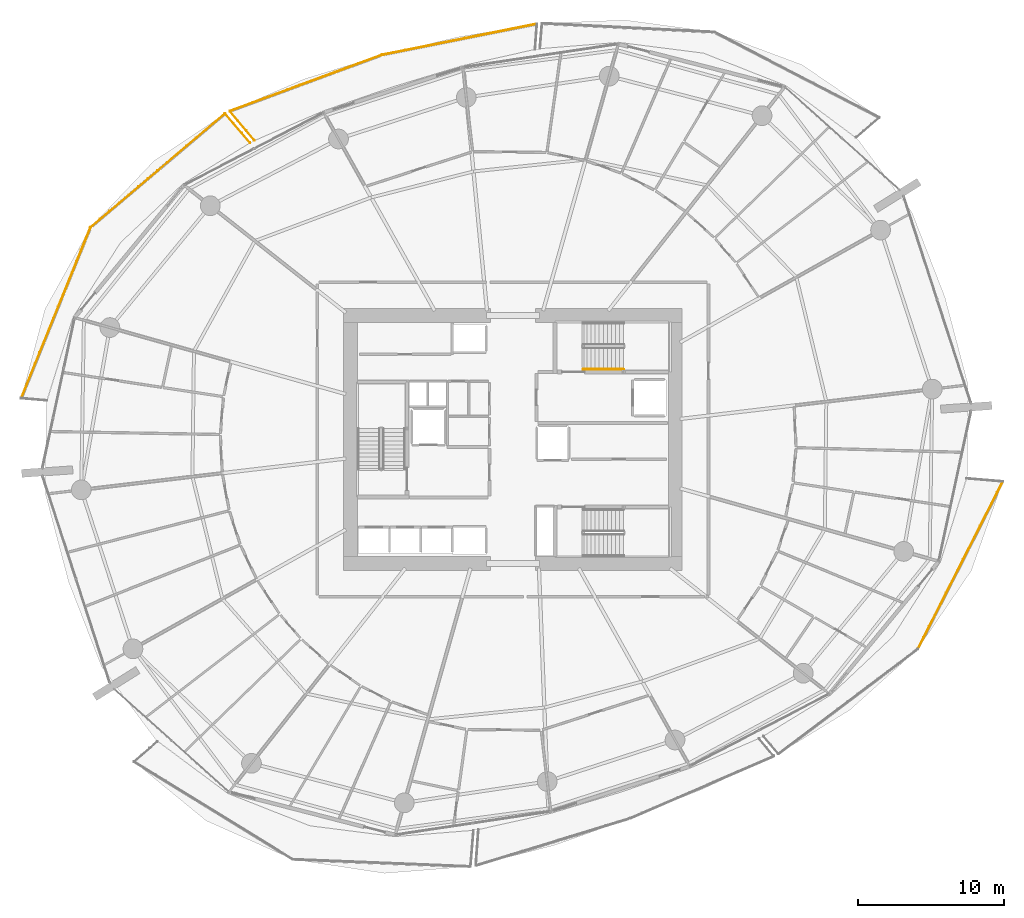
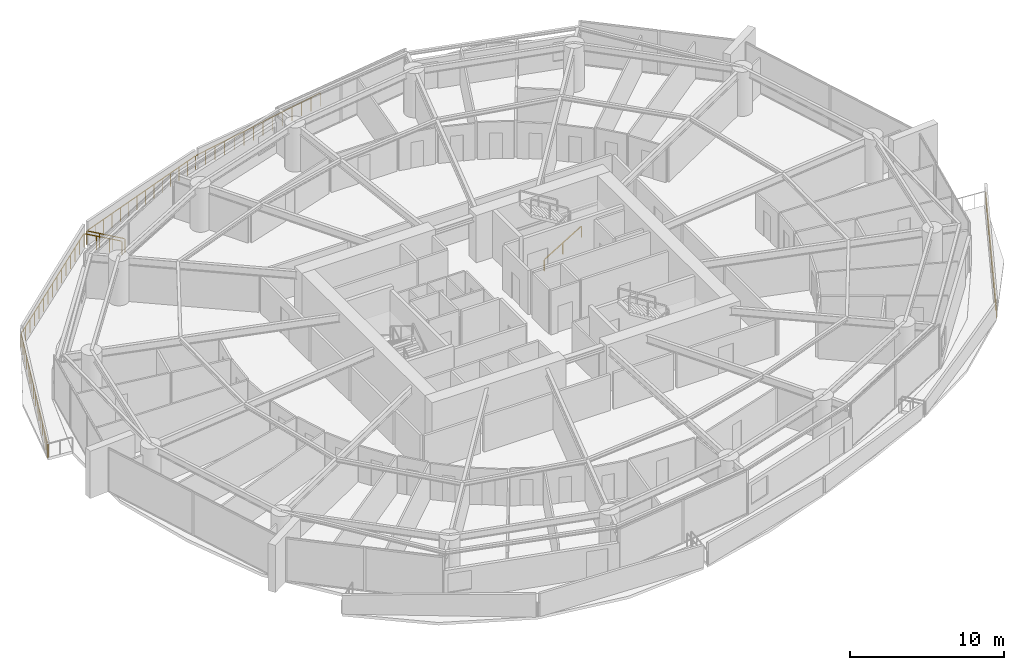
# One storey, part 29 of 31: 8 railings.
"""IFC4 building model written with IfcOpenShell, lengths in metres."""

from ifc_helpers import new_model, si_unit, direction, frame, origin, origin_2d, place, context, subcontext, project, spatial, rectangle, extrude, material, type_object, element, save


model = new_model("IFC4")

# Units and contexts
model_context = context("Model", 3, precision=1e-05, world=origin(), true_north=direction((0.0, 1.0)))
body_context = subcontext(model_context, "Body", "Model", "MODEL_VIEW")
ifc_project = project(units=[si_unit("LENGTHUNIT", "METRE"), si_unit("AREAUNIT", "SQUARE_METRE"), si_unit("VOLUMEUNIT", "CUBIC_METRE"), si_unit("PLANEANGLEUNIT", "RADIAN"), si_unit("MASSUNIT", "GRAM", prefix="KILO")], contexts=[model_context])

# Site, building, storey
site_placement = place(None, origin())
site = spatial("IfcSite", under=ifc_project, at=site_placement, CompositionType="ELEMENT")
building_placement = place(site_placement, origin())
building = spatial("IfcBuilding", under=site, at=building_placement, Name="Kazma Halo Residences", CompositionType="ELEMENT")
storey_placement = place(building_placement, frame((0.0, 0.0, 52.64990234375)))
storey = spatial("IfcBuildingStorey", under=building, at=storey_placement, Name="L12", CompositionType="ELEMENT", Elevation=52.64990234375)

# Railings
ifc_material_1 = material(Name="Aluminium AW-6063 T6 Brushed Cap Rail", Category="aluminium")
railing_type_1 = type_object("IfcRailingType", Name="RLG-BAL-CAP-1120", PredefinedType="BALUSTRADE", material=ifc_material_1)
railing_1_placement = place(storey_placement, frame((50.06201171875, 70.419921875, 0.0)))
element("IfcRailing", 1, at=railing_1_placement, inside=storey, type_object=railing_type_1, Name="L12 NNW wave balcony guard 2", PredefinedType="BALUSTRADE", context=body_context, shape_type="SweptSolid", body=[
    extrude(rectangle(XDim=0.050048828125, YDim=0.050048828125, at=origin_2d()), frame((-0.041748046875, -0.00830078125, 1.09521484375), z_axis=(-0.980530292634, -0.19636788237, 0.0), x_axis=(0.19636788237, -0.980530292634, 0.0)), (0.0, 0.0, 1.0), 10.7314453125),
    extrude(rectangle(XDim=0.0400390625, YDim=0.0400390625, at=origin_2d()), origin(), (0.0, 0.0, 1.0), 1.05810546875),
    extrude(rectangle(XDim=0.0400390625, YDim=0.0400390625, at=origin_2d()), frame((-0.81591796875, -0.163330078125, 0.0)), (0.0, 0.0, 1.0), 1.05810546875),
    extrude(rectangle(XDim=0.0400390625, YDim=0.0400390625, at=origin_2d()), frame((-1.631591796875, -0.32666015625, 0.0)), (0.0, 0.0, 1.0), 1.05810546875),
    extrude(rectangle(XDim=0.0400390625, YDim=0.0400390625, at=origin_2d()), frame((-2.447509765625, -0.490234375, 0.0)), (0.0, 0.0, 1.0), 1.05810546875),
    extrude(rectangle(XDim=0.0400390625, YDim=0.0400390625, at=origin_2d()), frame((-3.263427734375, -0.653564453125, 0.0)), (0.0, 0.0, 1.0), 1.05810546875),
    extrude(rectangle(XDim=0.0400390625, YDim=0.0400390625, at=origin_2d()), frame((-4.0791015625, -0.81689453125, 0.0)), (0.0, 0.0, 1.0), 1.05810546875),
    extrude(rectangle(XDim=0.0400390625, YDim=0.0400390625, at=origin_2d()), frame((-4.89501953125, -0.980224609375, 0.0)), (0.0, 0.0, 1.0), 1.05810546875),
    extrude(rectangle(XDim=0.0400390625, YDim=0.0400390625, at=origin_2d()), frame((-5.7109375, -1.143798828125, 0.0)), (0.0, 0.0, 1.0), 1.05810546875),
    extrude(rectangle(XDim=0.0400390625, YDim=0.0400390625, at=origin_2d()), frame((-6.52685546875, -1.30712890625, 0.0)), (0.0, 0.0, 1.0), 1.05810546875),
    extrude(rectangle(XDim=0.0400390625, YDim=0.0400390625, at=origin_2d()), frame((-7.342529296875, -1.470458984375, 0.0)), (0.0, 0.0, 1.0), 1.05810546875),
    extrude(rectangle(XDim=0.0400390625, YDim=0.0400390625, at=origin_2d()), frame((-8.158447265625, -1.6337890625, 0.0)), (0.0, 0.0, 1.0), 1.05810546875),
    extrude(rectangle(XDim=0.0400390625, YDim=0.0400390625, at=origin_2d()), frame((-8.974365234375, -1.79736328125, 0.0)), (0.0, 0.0, 1.0), 1.05810546875),
    extrude(rectangle(XDim=0.0400390625, YDim=0.0400390625, at=origin_2d()), frame((-9.7900390625, -1.960693359375, 0.0)), (0.0, 0.0, 1.0), 1.05810546875),
    extrude(rectangle(XDim=0.0400390625, YDim=0.0400390625, at=origin_2d()), frame((-10.60595703125, -2.1240234375, 0.0)), (0.0, 0.0, 1.0), 1.05810546875),
])
railing_2_placement = place(storey_placement, frame((39.4560546875, 68.2958984375, 0.0)))
element("IfcRailing", 2, at=railing_2_placement, inside=storey, type_object=railing_type_1, Name="L12 NNW wave balcony guard 3", PredefinedType="BALUSTRADE", context=body_context, shape_type="SweptSolid", body=[
    extrude(rectangle(XDim=0.050048828125, YDim=0.050048828125, at=origin_2d()), frame((-0.039794921875, -0.0146484375, 1.09521484375), z_axis=(-0.937999325113, -0.346637081237, 0.0), x_axis=(0.346637081237, -0.937999325113, 0.0)), (0.0, 0.0, 1.0), 10.999267578125),
    extrude(rectangle(XDim=0.0400390625, YDim=0.0400390625, at=origin_2d()), origin(), (0.0, 0.0, 1.0), 1.05810546875),
    extrude(rectangle(XDim=0.0400390625, YDim=0.0400390625, at=origin_2d()), frame((-0.7998046875, -0.295654296875, 0.0)), (0.0, 0.0, 1.0), 1.05810546875),
    extrude(rectangle(XDim=0.0400390625, YDim=0.0400390625, at=origin_2d()), frame((-1.599609375, -0.591064453125, 0.0)), (0.0, 0.0, 1.0), 1.05810546875),
    extrude(rectangle(XDim=0.0400390625, YDim=0.0400390625, at=origin_2d()), frame((-2.3994140625, -0.88671875, 0.0)), (0.0, 0.0, 1.0), 1.05810546875),
    extrude(rectangle(XDim=0.0400390625, YDim=0.0400390625, at=origin_2d()), frame((-3.19921875, -1.18212890625, 0.0)), (0.0, 0.0, 1.0), 1.05810546875),
    extrude(rectangle(XDim=0.0400390625, YDim=0.0400390625, at=origin_2d()), frame((-3.9990234375, -1.477783203125, 0.0)), (0.0, 0.0, 1.0), 1.05810546875),
    extrude(rectangle(XDim=0.0400390625, YDim=0.0400390625, at=origin_2d()), frame((-4.798828125, -1.7734375, 0.0)), (0.0, 0.0, 1.0), 1.05810546875),
    extrude(rectangle(XDim=0.0400390625, YDim=0.0400390625, at=origin_2d()), frame((-5.598388671875, -2.06884765625, 0.0)), (0.0, 0.0, 1.0), 1.05810546875),
    extrude(rectangle(XDim=0.0400390625, YDim=0.0400390625, at=origin_2d()), frame((-6.398193359375, -2.364501953125, 0.0)), (0.0, 0.0, 1.0), 1.05810546875),
    extrude(rectangle(XDim=0.0400390625, YDim=0.0400390625, at=origin_2d()), frame((-7.197998046875, -2.66015625, 0.0)), (0.0, 0.0, 1.0), 1.05810546875),
    extrude(rectangle(XDim=0.0400390625, YDim=0.0400390625, at=origin_2d()), frame((-7.997802734375, -2.95556640625, 0.0)), (0.0, 0.0, 1.0), 1.05810546875),
    extrude(rectangle(XDim=0.0400390625, YDim=0.0400390625, at=origin_2d()), frame((-8.797607421875, -3.251220703125, 0.0)), (0.0, 0.0, 1.0), 1.05810546875),
    extrude(rectangle(XDim=0.0400390625, YDim=0.0400390625, at=origin_2d()), frame((-9.597412109375, -3.546630859375, 0.0)), (0.0, 0.0, 1.0), 1.05810546875),
    extrude(rectangle(XDim=0.0400390625, YDim=0.0400390625, at=origin_2d()), frame((-10.397216796875, -3.84228515625, 0.0)), (0.0, 0.0, 1.0), 1.05810546875),
])
railing_3_placement = place(storey_placement, frame((29.058837890625, 64.45361328125, 0.0)))
element("IfcRailing", 3, at=railing_3_placement, inside=storey, type_object=railing_type_1, Name="L12 NNW wave balcony guard 4", PredefinedType="BALUSTRADE", context=body_context, shape_type="SweptSolid", body=[
    extrude(rectangle(XDim=0.050048828125, YDim=0.050048828125, at=origin_2d()), frame((0.02734375, -0.032470703125, 1.09521484375), z_axis=(0.64478266739, -0.764365954131, 0.0), x_axis=(0.764365954131, 0.64478266739, 0.0)), (0.0, 0.0, 1.0), 2.54052734375),
    extrude(rectangle(XDim=0.0400390625, YDim=0.0400390625, at=origin_2d()), origin(), (0.0, 0.0, 1.0), 1.05810546875),
    extrude(rectangle(XDim=0.0400390625, YDim=0.0400390625, at=origin_2d()), frame((0.564208984375, -0.6689453125, 0.0)), (0.0, 0.0, 1.0), 1.05810546875),
    extrude(rectangle(XDim=0.0400390625, YDim=0.0400390625, at=origin_2d()), frame((1.128662109375, -1.337890625, 0.0)), (0.0, 0.0, 1.0), 1.05810546875),
    extrude(rectangle(XDim=0.0400390625, YDim=0.0400390625, at=origin_2d()), frame((1.69287109375, -2.0068359375, 0.0)), (0.0, 0.0, 1.0), 1.05810546875),
])
railing_4_placement = place(storey_placement, frame((30.453857421875, 62.29150390625, 0.0)))
element("IfcRailing", 4, at=railing_4_placement, inside=storey, type_object=railing_type_1, Name="L12 NW wave balcony guard 1", PredefinedType="BALUSTRADE", context=body_context, shape_type="SweptSolid", body=[
    extrude(rectangle(XDim=0.050048828125, YDim=0.050048828125, at=origin_2d()), frame((-0.02783203125, 0.0322265625, 1.09521484375), z_axis=(-0.654071575438, 0.756432663364, 0.0), x_axis=(-0.756432663364, -0.654071575438, 0.0)), (0.0, 0.0, 1.0), 2.545654296875),
    extrude(rectangle(XDim=0.0400390625, YDim=0.0400390625, at=origin_2d()), origin(), (0.0, 0.0, 1.0), 1.05810546875),
    extrude(rectangle(XDim=0.0400390625, YDim=0.0400390625, at=origin_2d()), frame((-0.573486328125, 0.663330078125, 0.0)), (0.0, 0.0, 1.0), 1.05810546875),
    extrude(rectangle(XDim=0.0400390625, YDim=0.0400390625, at=origin_2d()), frame((-1.147216796875, 1.32666015625, 0.0)), (0.0, 0.0, 1.0), 1.05810546875),
    extrude(rectangle(XDim=0.0400390625, YDim=0.0400390625, at=origin_2d()), frame((-1.720703125, 1.989990234375, 0.0)), (0.0, 0.0, 1.0), 1.05810546875),
])
railing_5_placement = place(storey_placement, frame((28.733154296875, 64.281494140625, 0.0)))
element("IfcRailing", 5, at=railing_5_placement, inside=storey, type_object=railing_type_1, Name="L12 NW wave balcony guard 2", PredefinedType="BALUSTRADE", context=body_context, shape_type="SweptSolid", body=[
    extrude(rectangle(XDim=0.050048828125, YDim=0.050048828125, at=origin_2d()), frame((-0.032470703125, -0.02734375, 1.09521484375), z_axis=(-0.76369214985, -0.645580591605, 0.0), x_axis=(0.645580591605, -0.76369214985, 0.0)), (0.0, 0.0, 1.0), 11.961669921875),
    extrude(rectangle(XDim=0.0400390625, YDim=0.0400390625, at=origin_2d()), origin(), (0.0, 0.0, 1.0), 1.05810546875),
    extrude(rectangle(XDim=0.0400390625, YDim=0.0400390625, at=origin_2d()), frame((-0.6572265625, -0.555419921875, 0.0)), (0.0, 0.0, 1.0), 1.05810546875),
    extrude(rectangle(XDim=0.0400390625, YDim=0.0400390625, at=origin_2d()), frame((-1.314208984375, -1.111083984375, 0.0)), (0.0, 0.0, 1.0), 1.05810546875),
    extrude(rectangle(XDim=0.0400390625, YDim=0.0400390625, at=origin_2d()), frame((-1.971435546875, -1.66650390625, 0.0)), (0.0, 0.0, 1.0), 1.05810546875),
    extrude(rectangle(XDim=0.0400390625, YDim=0.0400390625, at=origin_2d()), frame((-2.628662109375, -2.221923828125, 0.0)), (0.0, 0.0, 1.0), 1.05810546875),
    extrude(rectangle(XDim=0.0400390625, YDim=0.0400390625, at=origin_2d()), frame((-3.28564453125, -2.777587890625, 0.0)), (0.0, 0.0, 1.0), 1.05810546875),
    extrude(rectangle(XDim=0.0400390625, YDim=0.0400390625, at=origin_2d()), frame((-3.94287109375, -3.3330078125, 0.0)), (0.0, 0.0, 1.0), 1.05810546875),
    extrude(rectangle(XDim=0.0400390625, YDim=0.0400390625, at=origin_2d()), frame((-4.60009765625, -3.888671875, 0.0)), (0.0, 0.0, 1.0), 1.05810546875),
    extrude(rectangle(XDim=0.0400390625, YDim=0.0400390625, at=origin_2d()), frame((-5.257080078125, -4.444091796875, 0.0)), (0.0, 0.0, 1.0), 1.05810546875),
    extrude(rectangle(XDim=0.0400390625, YDim=0.0400390625, at=origin_2d()), frame((-5.914306640625, -4.99951171875, 0.0)), (0.0, 0.0, 1.0), 1.05810546875),
    extrude(rectangle(XDim=0.0400390625, YDim=0.0400390625, at=origin_2d()), frame((-6.5712890625, -5.55517578125, 0.0)), (0.0, 0.0, 1.0), 1.05810546875),
    extrude(rectangle(XDim=0.0400390625, YDim=0.0400390625, at=origin_2d()), frame((-7.228515625, -6.110595703125, 0.0)), (0.0, 0.0, 1.0), 1.05810546875),
    extrude(rectangle(XDim=0.0400390625, YDim=0.0400390625, at=origin_2d()), frame((-7.8857421875, -6.666015625, 0.0)), (0.0, 0.0, 1.0), 1.05810546875),
    extrude(rectangle(XDim=0.0400390625, YDim=0.0400390625, at=origin_2d()), frame((-8.542724609375, -7.2216796875, 0.0)), (0.0, 0.0, 1.0), 1.05810546875),
    extrude(rectangle(XDim=0.0400390625, YDim=0.0400390625, at=origin_2d()), frame((-9.199951171875, -7.777099609375, 0.0)), (0.0, 0.0, 1.0), 1.05810546875),
])
railing_6_placement = place(storey_placement, frame((19.533203125, 56.50439453125, 0.0)))
element("IfcRailing", 6, at=railing_6_placement, inside=storey, type_object=railing_type_1, Name="L12 NW wave balcony guard 3", PredefinedType="BALUSTRADE", context=body_context, shape_type="SweptSolid", body=[
    extrude(rectangle(XDim=0.050048828125, YDim=0.050048828125, at=origin_2d()), frame((-0.015869140625, -0.039306640625, 1.09521484375), z_axis=(-0.375742405834, -0.926724146906, 0.0), x_axis=(0.926724146906, -0.375742405834, 0.0)), (0.0, 0.0, 1.0), 12.526123046875),
    extrude(rectangle(XDim=0.0400390625, YDim=0.0400390625, at=origin_2d()), origin(), (0.0, 0.0, 1.0), 1.05810546875),
    extrude(rectangle(XDim=0.0400390625, YDim=0.0400390625, at=origin_2d()), frame((-0.31591796875, -0.779052734375, 0.0)), (0.0, 0.0, 1.0), 1.05810546875),
    extrude(rectangle(XDim=0.0400390625, YDim=0.0400390625, at=origin_2d()), frame((-0.6318359375, -1.558349609375, 0.0)), (0.0, 0.0, 1.0), 1.05810546875),
    extrude(rectangle(XDim=0.0400390625, YDim=0.0400390625, at=origin_2d()), frame((-0.94775390625, -2.33740234375, 0.0)), (0.0, 0.0, 1.0), 1.05810546875),
    extrude(rectangle(XDim=0.0400390625, YDim=0.0400390625, at=origin_2d()), frame((-1.263671875, -3.116455078125, 0.0)), (0.0, 0.0, 1.0), 1.05810546875),
    extrude(rectangle(XDim=0.0400390625, YDim=0.0400390625, at=origin_2d()), frame((-1.57958984375, -3.895751953125, 0.0)), (0.0, 0.0, 1.0), 1.05810546875),
    extrude(rectangle(XDim=0.0400390625, YDim=0.0400390625, at=origin_2d()), frame((-1.8955078125, -4.6748046875, 0.0)), (0.0, 0.0, 1.0), 1.05810546875),
    extrude(rectangle(XDim=0.0400390625, YDim=0.0400390625, at=origin_2d()), frame((-2.21142578125, -5.453857421875, 0.0)), (0.0, 0.0, 1.0), 1.05810546875),
    extrude(rectangle(XDim=0.0400390625, YDim=0.0400390625, at=origin_2d()), frame((-2.527099609375, -6.233154296875, 0.0)), (0.0, 0.0, 1.0), 1.05810546875),
    extrude(rectangle(XDim=0.0400390625, YDim=0.0400390625, at=origin_2d()), frame((-2.843017578125, -7.01220703125, 0.0)), (0.0, 0.0, 1.0), 1.05810546875),
    extrude(rectangle(XDim=0.0400390625, YDim=0.0400390625, at=origin_2d()), frame((-3.158935546875, -7.791259765625, 0.0)), (0.0, 0.0, 1.0), 1.05810546875),
    extrude(rectangle(XDim=0.0400390625, YDim=0.0400390625, at=origin_2d()), frame((-3.474853515625, -8.570556640625, 0.0)), (0.0, 0.0, 1.0), 1.05810546875),
    extrude(rectangle(XDim=0.0400390625, YDim=0.0400390625, at=origin_2d()), frame((-3.790771484375, -9.349609375, 0.0)), (0.0, 0.0, 1.0), 1.05810546875),
    extrude(rectangle(XDim=0.0400390625, YDim=0.0400390625, at=origin_2d()), frame((-4.106689453125, -10.128662109375, 0.0)), (0.0, 0.0, 1.0), 1.05810546875),
    extrude(rectangle(XDim=0.0400390625, YDim=0.0400390625, at=origin_2d()), frame((-4.422607421875, -10.907958984375, 0.0)), (0.0, 0.0, 1.0), 1.05810546875),
    extrude(rectangle(XDim=0.0400390625, YDim=0.0400390625, at=origin_2d()), frame((-4.738525390625, -11.68701171875, 0.0)), (0.0, 0.0, 1.0), 1.05810546875),
])
railing_7_placement = place(storey_placement, frame((76.1123046875, 27.676025390625, 0.0)))
element("IfcRailing", 7, at=railing_7_placement, inside=storey, type_object=railing_type_1, Name="L12 SE wave balcony guard 3", PredefinedType="BALUSTRADE", context=body_context, shape_type="SweptSolid", body=[
    extrude(rectangle(XDim=0.050048828125, YDim=0.050048828125, at=origin_2d()), frame((0.019287109375, 0.037841796875, 1.09521484375), z_axis=(0.452781224199, 0.891621647905, 0.0), x_axis=(-0.891621647905, 0.452781224199, 0.0)), (0.0, 0.0, 1.0), 12.751708984375),
    extrude(rectangle(XDim=0.0400390625, YDim=0.0400390625, at=origin_2d()), origin(), (0.0, 0.0, 1.0), 1.05810546875),
    extrude(rectangle(XDim=0.0400390625, YDim=0.0400390625, at=origin_2d()), frame((0.387451171875, 0.762939453125, 0.0)), (0.0, 0.0, 1.0), 1.05810546875),
    extrude(rectangle(XDim=0.0400390625, YDim=0.0400390625, at=origin_2d()), frame((0.77490234375, 1.526123046875, 0.0)), (0.0, 0.0, 1.0), 1.05810546875),
    extrude(rectangle(XDim=0.0400390625, YDim=0.0400390625, at=origin_2d()), frame((1.162353515625, 2.2890625, 0.0)), (0.0, 0.0, 1.0), 1.05810546875),
    extrude(rectangle(XDim=0.0400390625, YDim=0.0400390625, at=origin_2d()), frame((1.550048828125, 3.05224609375, 0.0)), (0.0, 0.0, 1.0), 1.05810546875),
    extrude(rectangle(XDim=0.0400390625, YDim=0.0400390625, at=origin_2d()), frame((1.9375, 3.815185546875, 0.0)), (0.0, 0.0, 1.0), 1.05810546875),
    extrude(rectangle(XDim=0.0400390625, YDim=0.0400390625, at=origin_2d()), frame((2.324951171875, 4.578125, 0.0)), (0.0, 0.0, 1.0), 1.05810546875),
    extrude(rectangle(XDim=0.0400390625, YDim=0.0400390625, at=origin_2d()), frame((2.71240234375, 5.34130859375, 0.0)), (0.0, 0.0, 1.0), 1.05810546875),
    extrude(rectangle(XDim=0.0400390625, YDim=0.0400390625, at=origin_2d()), frame((3.099853515625, 6.104248046875, 0.0)), (0.0, 0.0, 1.0), 1.05810546875),
    extrude(rectangle(XDim=0.0400390625, YDim=0.0400390625, at=origin_2d()), frame((3.4873046875, 6.867431640625, 0.0)), (0.0, 0.0, 1.0), 1.05810546875),
    extrude(rectangle(XDim=0.0400390625, YDim=0.0400390625, at=origin_2d()), frame((3.874755859375, 7.63037109375, 0.0)), (0.0, 0.0, 1.0), 1.05810546875),
    extrude(rectangle(XDim=0.0400390625, YDim=0.0400390625, at=origin_2d()), frame((4.26220703125, 8.393310546875, 0.0)), (0.0, 0.0, 1.0), 1.05810546875),
    extrude(rectangle(XDim=0.0400390625, YDim=0.0400390625, at=origin_2d()), frame((4.64990234375, 9.156494140625, 0.0)), (0.0, 0.0, 1.0), 1.05810546875),
    extrude(rectangle(XDim=0.0400390625, YDim=0.0400390625, at=origin_2d()), frame((5.037353515625, 9.91943359375, 0.0)), (0.0, 0.0, 1.0), 1.05810546875),
    extrude(rectangle(XDim=0.0400390625, YDim=0.0400390625, at=origin_2d()), frame((5.4248046875, 10.6826171875, 0.0)), (0.0, 0.0, 1.0), 1.05810546875),
    extrude(rectangle(XDim=0.0400390625, YDim=0.0400390625, at=origin_2d()), frame((5.812255859375, 11.445556640625, 0.0)), (0.0, 0.0, 1.0), 1.05810546875),
])
ifc_material_2 = material(Name="Brushed Stainless Steel", Category="steel")
railing_type_2 = type_object("IfcRailingType", Name="RLG-STAIR-HND-900", PredefinedType="HANDRAIL", material=ifc_material_2)
railing_8_placement = place(storey_placement, frame((53.199951171875, 46.800048828125, 0.170654296875)))
element("IfcRailing", 8, at=railing_8_placement, inside=storey, type_object=railing_type_2, Name="L12 ST-02 stair handrail 1", PredefinedType="HANDRAIL", context=body_context, shape_type="SweptSolid", body=[
    extrude(rectangle(XDim=0.050048828125, YDim=0.050048828125, at=origin_2d()), frame((0.036376953125, 0.0, 0.89697265625), z_axis=(0.854202870247, 0.0, 0.519939858505), x_axis=(0.0, 1.0, 0.0)), (0.0, 0.0, 1.0), 3.19287109375),
    extrude(rectangle(XDim=0.0400390625, YDim=0.0400390625, at=origin_2d()), origin(), (0.0, 0.0, 1.0), 0.837890625),
    extrude(rectangle(XDim=0.0400390625, YDim=0.0400390625, at=origin_2d()), frame((1.39990234375, 0.0, 0.85205078125)), (0.0, 0.0, 1.0), 0.837890625),
    extrude(rectangle(XDim=0.0400390625, YDim=0.0400390625, at=origin_2d()), frame((2.800048828125, 0.0, 1.704345703125)), (0.0, 0.0, 1.0), 0.837890625),
])

save(model, "model.ifc")
